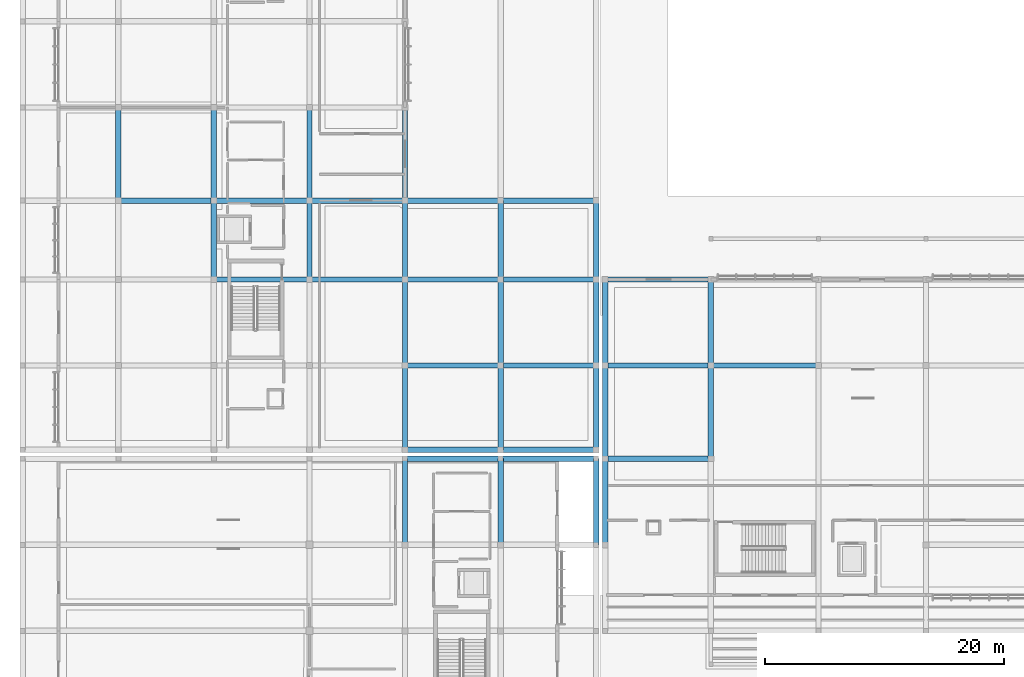
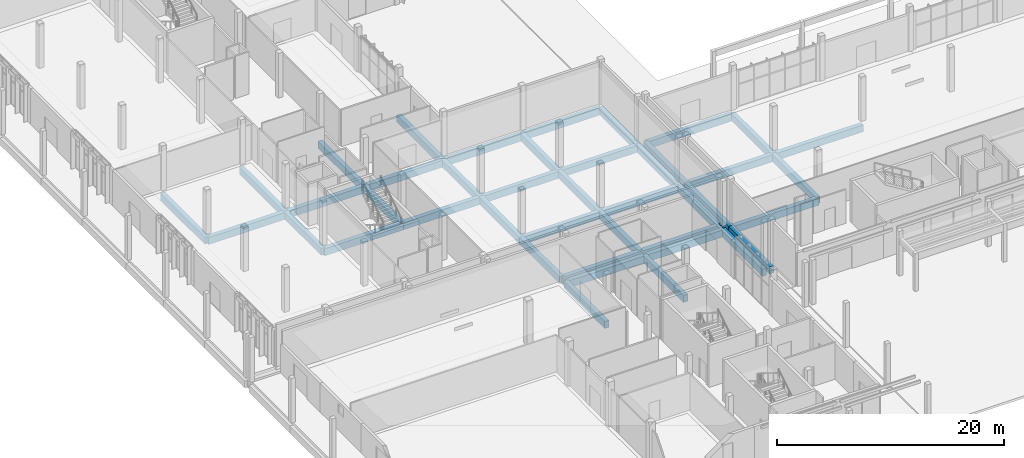
# One storey, part 30 of 151: 42 beams.
"""IFC4 building model written with IfcOpenShell, lengths in metres."""

from ifc_helpers import new_model, si_unit, direction, frame, origin, origin_2d, place, context, subcontext, project, spatial, rectangle, extrude, material, material_profile, profile_set, type_object, element, save


model = new_model("IFC4")

# Units and contexts
model_context = context("Model", 3, precision=1e-05, world=origin(), true_north=direction((0.0, 1.0)))
body_context = subcontext(model_context, "Body", "Model", "MODEL_VIEW")
ifc_project = project(units=[si_unit("LENGTHUNIT", "METRE"), si_unit("AREAUNIT", "SQUARE_METRE"), si_unit("VOLUMEUNIT", "CUBIC_METRE"), si_unit("PLANEANGLEUNIT", "RADIAN"), si_unit("MASSUNIT", "GRAM", prefix="KILO")], contexts=[model_context])

# Site, building, storey
site_placement = place(None, origin())
site = spatial("IfcSite", under=ifc_project, at=site_placement, CompositionType="ELEMENT")
building_placement = place(site_placement, origin())
building = spatial("IfcBuilding", under=site, at=building_placement, Name="Chiffa Square Polytechnic", CompositionType="ELEMENT")
storey_placement = place(building_placement, origin())
storey = spatial("IfcBuildingStorey", under=building, at=storey_placement, Name="L00", CompositionType="ELEMENT", Elevation=0.0)

# Beams
ifc_material = material(Name="Concrete C35/45", Category="concrete")
ifc_material_profile = material_profile(ifc_material, rectangle(XDim=0.449951171875, YDim=0.75, at=origin_2d()), Name="RC 450x750")
ifc_profile_set = profile_set([ifc_material_profile], Name="Concrete C35/45")
beam_type = type_object("IfcBeamType", Name="GB-RC-450X750", PredefinedType="BEAM", material=ifc_profile_set)
for number, where, z_axis, x_axis, name in (
    (1, (32.0, 36.0, -0.77490234375), (1.0, 0.0, 0.0), (0.0, 1.0, 0.0), "Ground tie beam GB-V3-X-070"),
    (2, (40.0, 36.0, -0.77490234375), (1.0, 0.0, 0.0), (0.0, 1.0, 0.0), "Ground tie beam GB-V3-X-071"),
):
    element("IfcBeam", number, at=place(storey_placement, frame(where, z_axis=z_axis, x_axis=x_axis)), inside=storey, type_object=beam_type, Name=name, PredefinedType="BEAM", context=body_context, shape_type="SweptSolid", body=[
        extrude(rectangle(XDim=0.449951171875, YDim=0.75, at=origin_2d()), origin(), (0.0, 0.0, 1.0), 8.0),
    ])
for number, where, z_axis, x_axis, name in (
    (3, (32.0, 28.800048828125, -0.77490234375), (0.0, 1.0, 0.0), (-1.0, 0.0, 0.0), "Ground tie beam GB-V3-Y-086"),
    (4, (40.0, 28.800048828125, -0.77490234375), (0.0, 1.0, 0.0), (-1.0, 0.0, 0.0), "Ground tie beam GB-V3-Y-091"),
    (5, (48.0, 28.800048828125, -0.77490234375), (0.0, 1.0, 0.0), (-1.0, 0.0, 0.0), "Ground tie beam GB-V3-Y-096"),
):
    element("IfcBeam", number, at=place(storey_placement, frame(where, z_axis=z_axis, x_axis=x_axis)), inside=storey, type_object=beam_type, Name=name, PredefinedType="BEAM", context=body_context, shape_type="SweptSolid", body=[
        extrude(rectangle(XDim=0.449951171875, YDim=0.75, at=origin_2d()), origin(), (0.0, 0.0, 1.0), 7.199951171875),
    ])
for number, where, z_axis, x_axis, name in (
    (6, (48.75, 36.0, -0.77490234375), (1.0, 0.0, 0.0), (0.0, 1.0, 0.0), "Ground tie beam GB-V4-X-105"),
    (7, (48.75, 43.800048828125, -0.77490234375), (1.0, 0.0, 0.0), (0.0, 1.0, 0.0), "Ground tie beam GB-V4-X-107"),
):
    element("IfcBeam", number, at=place(storey_placement, frame(where, z_axis=z_axis, x_axis=x_axis)), inside=storey, type_object=beam_type, Name=name, PredefinedType="BEAM", context=body_context, shape_type="SweptSolid", body=[
        extrude(rectangle(XDim=0.449951171875, YDim=0.75, at=origin_2d()), origin(), (0.0, 0.0, 1.0), 8.85009765625),
    ])
beam_1_placement = place(storey_placement, frame((57.60009765625, 43.800048828125, -0.77490234375), z_axis=(1.0, 0.0, 0.0), x_axis=(0.0, 1.0, 0.0)))
element("IfcBeam", 8, at=beam_1_placement, inside=storey, type_object=beam_type, Name="Ground tie beam GB-V4-X-108", PredefinedType="BEAM", context=body_context, shape_type="SweptSolid", body=[
    extrude(rectangle(XDim=0.449951171875, YDim=0.75, at=origin_2d()), origin(), (0.0, 0.0, 1.0), 9.0),
])
beam_2_placement = place(storey_placement, frame((48.75, 51.0, -0.77490234375), z_axis=(1.0, 0.0, 0.0), x_axis=(0.0, 1.0, 0.0)))
element("IfcBeam", 9, at=beam_2_placement, inside=storey, type_object=beam_type, Name="Ground tie beam GB-V4-X-114", PredefinedType="BEAM", context=body_context, shape_type="SweptSolid", body=[
    extrude(rectangle(XDim=0.449951171875, YDim=0.75, at=origin_2d()), origin(), (0.0, 0.0, 1.0), 8.85009765625),
])
beam_3_placement = place(storey_placement, frame((48.75, 28.800048828125, -0.77490234375), z_axis=(0.0, 1.0, 0.0), x_axis=(-1.0, 0.0, 0.0)))
element("IfcBeam", 10, at=beam_3_placement, inside=storey, type_object=beam_type, Name="Ground tie beam GB-V4-Y-122", PredefinedType="BEAM", context=body_context, shape_type="SweptSolid", body=[
    extrude(rectangle(XDim=0.449951171875, YDim=0.75, at=origin_2d()), origin(), (0.0, 0.0, 1.0), 7.199951171875),
])
beam_4_placement = place(storey_placement, frame((48.75, 36.0, -0.77490234375), z_axis=(0.0, 1.0, 0.0), x_axis=(-1.0, 0.0, 0.0)))
element("IfcBeam", 11, at=beam_4_placement, inside=storey, type_object=beam_type, Name="Ground tie beam GB-V4-Y-123", PredefinedType="BEAM", context=body_context, shape_type="SweptSolid", body=[
    extrude(rectangle(XDim=0.449951171875, YDim=0.75, at=origin_2d()), origin(), (0.0, 0.0, 1.0), 7.800048828125),
])
beam_5_placement = place(storey_placement, frame((48.75, 43.800048828125, -0.77490234375), z_axis=(0.0, 1.0, 0.0), x_axis=(-1.0, 0.0, 0.0)))
element("IfcBeam", 12, at=beam_5_placement, inside=storey, type_object=beam_type, Name="Ground tie beam GB-V4-Y-124", PredefinedType="BEAM", context=body_context, shape_type="SweptSolid", body=[
    extrude(rectangle(XDim=0.449951171875, YDim=0.75, at=origin_2d()), origin(), (0.0, 0.0, 1.0), 7.199951171875),
])
beam_6_placement = place(storey_placement, frame((57.60009765625, 36.0, -0.77490234375), z_axis=(0.0, 1.0, 0.0), x_axis=(-1.0, 0.0, 0.0)))
element("IfcBeam", 13, at=beam_6_placement, inside=storey, type_object=beam_type, Name="Ground tie beam GB-V4-Y-126", PredefinedType="BEAM", context=body_context, shape_type="SweptSolid", body=[
    extrude(rectangle(XDim=0.449951171875, YDim=0.75, at=origin_2d()), origin(), (0.0, 0.0, 1.0), 7.800048828125),
])
beam_7_placement = place(storey_placement, frame((57.60009765625, 43.800048828125, -0.77490234375), z_axis=(0.0, 1.0, 0.0), x_axis=(-1.0, 0.0, 0.0)))
element("IfcBeam", 14, at=beam_7_placement, inside=storey, type_object=beam_type, Name="Ground tie beam GB-V4-Y-127", PredefinedType="BEAM", context=body_context, shape_type="SweptSolid", body=[
    extrude(rectangle(XDim=0.449951171875, YDim=0.75, at=origin_2d()), origin(), (0.0, 0.0, 1.0), 7.199951171875),
])
for number, where, z_axis, x_axis, name in (
    (15, (32.0, 36.75, -0.77490234375), (1.0, 0.0, 0.0), (0.0, 1.0, 0.0), "Ground tie beam GB-V6-X-149"),
    (16, (40.0, 36.75, -0.77490234375), (1.0, 0.0, 0.0), (0.0, 1.0, 0.0), "Ground tie beam GB-V6-X-150"),
    (17, (32.0, 43.800048828125, -0.77490234375), (1.0, 0.0, 0.0), (0.0, 1.0, 0.0), "Ground tie beam GB-V6-X-155"),
    (18, (40.0, 43.800048828125, -0.77490234375), (1.0, 0.0, 0.0), (0.0, 1.0, 0.0), "Ground tie beam GB-V6-X-156"),
    (19, (16.0, 51.0, -0.77490234375), (1.0, 0.0, 0.0), (0.0, 1.0, 0.0), "Ground tie beam GB-V6-X-159"),
    (20, (24.0, 51.0, -0.77490234375), (1.0, 0.0, 0.0), (0.0, 1.0, 0.0), "Ground tie beam GB-V6-X-160"),
    (21, (32.0, 51.0, -0.77490234375), (1.0, 0.0, 0.0), (0.0, 1.0, 0.0), "Ground tie beam GB-V6-X-161"),
    (22, (40.0, 51.0, -0.77490234375), (1.0, 0.0, 0.0), (0.0, 1.0, 0.0), "Ground tie beam GB-V6-X-162"),
    (23, (8.0, 57.60009765625, -0.77490234375), (1.0, 0.0, 0.0), (0.0, 1.0, 0.0), "Ground tie beam GB-V6-X-164"),
    (24, (16.0, 57.60009765625, -0.77490234375), (1.0, 0.0, 0.0), (0.0, 1.0, 0.0), "Ground tie beam GB-V6-X-165"),
    (25, (24.0, 57.60009765625, -0.77490234375), (1.0, 0.0, 0.0), (0.0, 1.0, 0.0), "Ground tie beam GB-V6-X-166"),
    (26, (32.0, 57.60009765625, -0.77490234375), (1.0, 0.0, 0.0), (0.0, 1.0, 0.0), "Ground tie beam GB-V6-X-167"),
    (27, (40.0, 57.60009765625, -0.77490234375), (1.0, 0.0, 0.0), (0.0, 1.0, 0.0), "Ground tie beam GB-V6-X-168"),
):
    element("IfcBeam", number, at=place(storey_placement, frame(where, z_axis=z_axis, x_axis=x_axis)), inside=storey, type_object=beam_type, Name=name, PredefinedType="BEAM", context=body_context, shape_type="SweptSolid", body=[
        extrude(rectangle(XDim=0.449951171875, YDim=0.75, at=origin_2d()), origin(), (0.0, 0.0, 1.0), 8.0),
    ])
beam_8_placement = place(storey_placement, frame((8.0, 57.60009765625, -0.77490234375), z_axis=(0.0, 1.0, 0.0), x_axis=(-1.0, 0.0, 0.0)))
element("IfcBeam", 28, at=beam_8_placement, inside=storey, type_object=beam_type, Name="Ground tie beam GB-V6-Y-206", PredefinedType="BEAM", context=body_context, shape_type="SweptSolid", body=[
    extrude(rectangle(XDim=0.449951171875, YDim=0.75, at=origin_2d()), origin(), (0.0, 0.0, 1.0), 7.7998046875),
])
beam_9_placement = place(storey_placement, frame((16.0, 51.0, -0.77490234375), z_axis=(0.0, 1.0, 0.0), x_axis=(-1.0, 0.0, 0.0)))
element("IfcBeam", 29, at=beam_9_placement, inside=storey, type_object=beam_type, Name="Ground tie beam GB-V6-Y-213", PredefinedType="BEAM", context=body_context, shape_type="SweptSolid", body=[
    extrude(rectangle(XDim=0.449951171875, YDim=0.75, at=origin_2d()), origin(), (0.0, 0.0, 1.0), 6.60009765625),
])
beam_10_placement = place(storey_placement, frame((16.0, 57.60009765625, -0.77490234375), z_axis=(0.0, 1.0, 0.0), x_axis=(-1.0, 0.0, 0.0)))
element("IfcBeam", 30, at=beam_10_placement, inside=storey, type_object=beam_type, Name="Ground tie beam GB-V6-Y-214", PredefinedType="BEAM", context=body_context, shape_type="SweptSolid", body=[
    extrude(rectangle(XDim=0.449951171875, YDim=0.75, at=origin_2d()), origin(), (0.0, 0.0, 1.0), 7.7998046875),
])
beam_11_placement = place(storey_placement, frame((24.0, 51.0, -0.77490234375), z_axis=(0.0, 1.0, 0.0), x_axis=(-1.0, 0.0, 0.0)))
element("IfcBeam", 31, at=beam_11_placement, inside=storey, type_object=beam_type, Name="Ground tie beam GB-V6-Y-221", PredefinedType="BEAM", context=body_context, shape_type="SweptSolid", body=[
    extrude(rectangle(XDim=0.449951171875, YDim=0.75, at=origin_2d()), origin(), (0.0, 0.0, 1.0), 6.60009765625),
])
beam_12_placement = place(storey_placement, frame((24.0, 57.60009765625, -0.77490234375), z_axis=(0.0, 1.0, 0.0), x_axis=(-1.0, 0.0, 0.0)))
element("IfcBeam", 32, at=beam_12_placement, inside=storey, type_object=beam_type, Name="Ground tie beam GB-V6-Y-222", PredefinedType="BEAM", context=body_context, shape_type="SweptSolid", body=[
    extrude(rectangle(XDim=0.449951171875, YDim=0.75, at=origin_2d()), origin(), (0.0, 0.0, 1.0), 7.7998046875),
])
beam_13_placement = place(storey_placement, frame((32.0, 36.75, -0.77490234375), z_axis=(0.0, 1.0, 0.0), x_axis=(-1.0, 0.0, 0.0)))
element("IfcBeam", 33, at=beam_13_placement, inside=storey, type_object=beam_type, Name="Ground tie beam GB-V6-Y-227", PredefinedType="BEAM", context=body_context, shape_type="SweptSolid", body=[
    extrude(rectangle(XDim=0.449951171875, YDim=0.75, at=origin_2d()), origin(), (0.0, 0.0, 1.0), 7.050048828125),
])
beam_14_placement = place(storey_placement, frame((32.0, 43.800048828125, -0.77490234375), z_axis=(0.0, 1.0, 0.0), x_axis=(-1.0, 0.0, 0.0)))
element("IfcBeam", 34, at=beam_14_placement, inside=storey, type_object=beam_type, Name="Ground tie beam GB-V6-Y-228", PredefinedType="BEAM", context=body_context, shape_type="SweptSolid", body=[
    extrude(rectangle(XDim=0.449951171875, YDim=0.75, at=origin_2d()), origin(), (0.0, 0.0, 1.0), 7.199951171875),
])
beam_15_placement = place(storey_placement, frame((32.0, 51.0, -0.77490234375), z_axis=(0.0, 1.0, 0.0), x_axis=(-1.0, 0.0, 0.0)))
element("IfcBeam", 35, at=beam_15_placement, inside=storey, type_object=beam_type, Name="Ground tie beam GB-V6-Y-229", PredefinedType="BEAM", context=body_context, shape_type="SweptSolid", body=[
    extrude(rectangle(XDim=0.449951171875, YDim=0.75, at=origin_2d()), origin(), (0.0, 0.0, 1.0), 6.60009765625),
])
beam_16_placement = place(storey_placement, frame((32.0, 57.60009765625, -0.77490234375), z_axis=(0.0, 1.0, 0.0), x_axis=(-1.0, 0.0, 0.0)))
element("IfcBeam", 36, at=beam_16_placement, inside=storey, type_object=beam_type, Name="Ground tie beam GB-V6-Y-230", PredefinedType="BEAM", context=body_context, shape_type="SweptSolid", body=[
    extrude(rectangle(XDim=0.449951171875, YDim=0.75, at=origin_2d()), origin(), (0.0, 0.0, 1.0), 7.7998046875),
])
beam_17_placement = place(storey_placement, frame((40.0, 36.75, -0.77490234375), z_axis=(0.0, 1.0, 0.0), x_axis=(-1.0, 0.0, 0.0)))
element("IfcBeam", 37, at=beam_17_placement, inside=storey, type_object=beam_type, Name="Ground tie beam GB-V6-Y-235", PredefinedType="BEAM", context=body_context, shape_type="SweptSolid", body=[
    extrude(rectangle(XDim=0.449951171875, YDim=0.75, at=origin_2d()), origin(), (0.0, 0.0, 1.0), 7.050048828125),
])
beam_18_placement = place(storey_placement, frame((40.0, 43.800048828125, -0.77490234375), z_axis=(0.0, 1.0, 0.0), x_axis=(-1.0, 0.0, 0.0)))
element("IfcBeam", 38, at=beam_18_placement, inside=storey, type_object=beam_type, Name="Ground tie beam GB-V6-Y-236", PredefinedType="BEAM", context=body_context, shape_type="SweptSolid", body=[
    extrude(rectangle(XDim=0.449951171875, YDim=0.75, at=origin_2d()), origin(), (0.0, 0.0, 1.0), 7.199951171875),
])
beam_19_placement = place(storey_placement, frame((40.0, 51.0, -0.77490234375), z_axis=(0.0, 1.0, 0.0), x_axis=(-1.0, 0.0, 0.0)))
element("IfcBeam", 39, at=beam_19_placement, inside=storey, type_object=beam_type, Name="Ground tie beam GB-V6-Y-237", PredefinedType="BEAM", context=body_context, shape_type="SweptSolid", body=[
    extrude(rectangle(XDim=0.449951171875, YDim=0.75, at=origin_2d()), origin(), (0.0, 0.0, 1.0), 6.60009765625),
])
beam_20_placement = place(storey_placement, frame((48.0, 36.75, -0.77490234375), z_axis=(0.0, 1.0, 0.0), x_axis=(-1.0, 0.0, 0.0)))
element("IfcBeam", 40, at=beam_20_placement, inside=storey, type_object=beam_type, Name="Ground tie beam GB-V6-Y-241", PredefinedType="BEAM", context=body_context, shape_type="SweptSolid", body=[
    extrude(rectangle(XDim=0.449951171875, YDim=0.75, at=origin_2d()), origin(), (0.0, 0.0, 1.0), 7.050048828125),
])
beam_21_placement = place(storey_placement, frame((48.0, 43.800048828125, -0.77490234375), z_axis=(0.0, 1.0, 0.0), x_axis=(-1.0, 0.0, 0.0)))
element("IfcBeam", 41, at=beam_21_placement, inside=storey, type_object=beam_type, Name="Ground tie beam GB-V6-Y-242", PredefinedType="BEAM", context=body_context, shape_type="SweptSolid", body=[
    extrude(rectangle(XDim=0.449951171875, YDim=0.75, at=origin_2d()), origin(), (0.0, 0.0, 1.0), 7.199951171875),
])
beam_22_placement = place(storey_placement, frame((48.0, 51.0, -0.77490234375), z_axis=(0.0, 1.0, 0.0), x_axis=(-1.0, 0.0, 0.0)))
element("IfcBeam", 42, at=beam_22_placement, inside=storey, type_object=beam_type, Name="Ground tie beam GB-V6-Y-243", PredefinedType="BEAM", context=body_context, shape_type="SweptSolid", body=[
    extrude(rectangle(XDim=0.449951171875, YDim=0.75, at=origin_2d()), origin(), (0.0, 0.0, 1.0), 6.60009765625),
])

save(model, "model.ifc")
